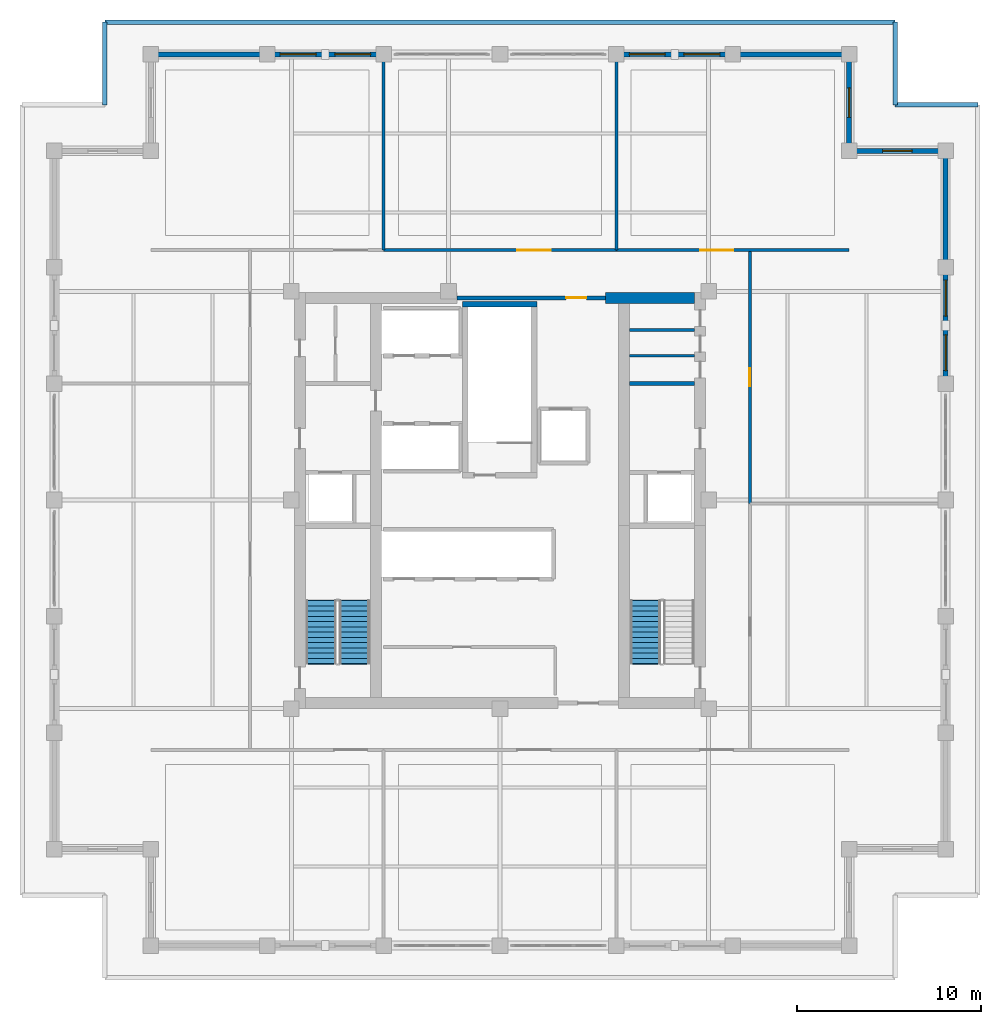
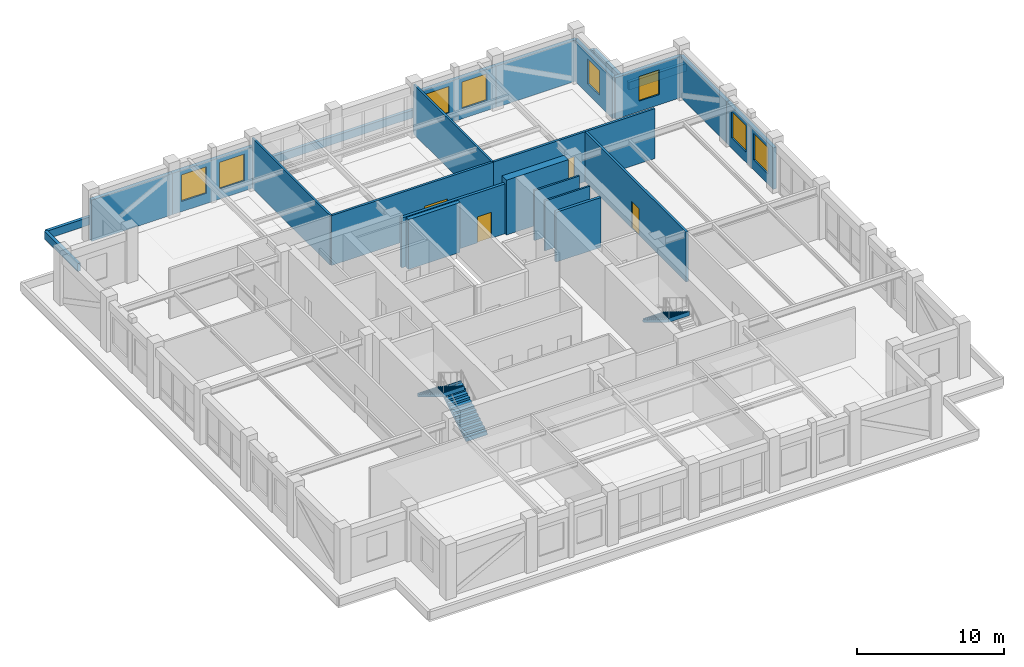
# One storey, part 10 of 14: 23 walls, 8 windows, 4 doors, 3 stair flights, 12 openings, 2 elements without a shape of their own.
"""IFC4 building model written with IfcOpenShell, lengths in metres."""

from ifc_helpers import new_model, si_unit, direction, frame, frame_2d, origin, place, context, subcontext, project, spatial, polyline, rectangle, outline, extrude, material, layer, layer_set, type_object, element, fill, aggregate, save


model = new_model("IFC4")

# Units and contexts
model_context = context("Model", 3, precision=1e-05, world=origin(), true_north=direction((0.0, 1.0)))
body_context = subcontext(model_context, "Body", "Model", "MODEL_VIEW")
ifc_project = project(units=[si_unit("LENGTHUNIT", "METRE"), si_unit("AREAUNIT", "SQUARE_METRE"), si_unit("VOLUMEUNIT", "CUBIC_METRE"), si_unit("PLANEANGLEUNIT", "RADIAN"), si_unit("MASSUNIT", "GRAM", prefix="KILO")], contexts=[model_context])

# Site, building, storey
site_placement = place(None, origin())
site = spatial("IfcSite", under=ifc_project, at=site_placement, CompositionType="ELEMENT")
building_placement = place(site_placement, origin())
building = spatial("IfcBuilding", under=site, at=building_placement, Name="Nhamokura Convention Tower", CompositionType="ELEMENT")
storey_placement = place(building_placement, frame((0.0, 0.0, 182.35009765625)))
storey = spatial("IfcBuildingStorey", under=building, at=storey_placement, Name="L44", CompositionType="ELEMENT", Elevation=182.35009765625)

# Walls
ifc_material_1 = material(Name="Moisture-resistant tile-backer partition", Category="masonry")
ifc_layer_1 = layer(ifc_material_1, 0.139892578125)
ifc_layer_set_1 = layer_set([ifc_layer_1], Name="BathroomWetWall_140")
wall_type_1 = type_object("IfcWallType", Name="BathroomWetWall_140", PredefinedType="STANDARD", material=ifc_layer_set_1)
for number, where, z_axis, x_axis, name in (
    (1, (39.06005859375, 39.85009765625, 0.0), (0.0, 0.0, 1.0), (1.0, 0.0, 0.0), "L44 Wall INT-L44-CWNE1"),
    (2, (39.06005859375, 41.25, 0.0), (0.0, 0.0, 1.0), (1.0, 0.0, 0.0), "L44 Wall INT-L44-CWNE2"),
):
    element("IfcWall", number, at=place(storey_placement, frame(where, z_axis=z_axis, x_axis=x_axis)), inside=storey, type_object=wall_type_1, Name=name, PredefinedType="STANDARD", context=body_context, shape_type="SweptSolid", body=[
        extrude(rectangle(XDim=3.530029296875, YDim=0.139892578125, at=frame_2d((1.76513671875, 0.0))), origin(), (0.0, 0.0, 1.0), 4.1298828125),
    ])
ifc_material_2 = material(Name="Bronze-pigmented precast concrete C45/55", Category="concrete")
ifc_layer_2 = layer(ifc_material_2, 0.280029296875)
ifc_layer_set_2 = layer_set([ifc_layer_2], Name="BronzePrecastSpandrel_280")
wall_type_2 = type_object("IfcWallType", Name="BronzePrecastSpandrel_280", PredefinedType="USERDEFINED", material=ifc_layer_set_2)
wall_1_placement = place(storey_placement, frame((13.0, 56.25, 0.0), z_axis=(0.0, 0.0, 1.0), x_axis=(1.0, 0.0, 0.0)))
element("IfcWall", 3, at=wall_1_placement, inside=storey, type_object=wall_type_2, Name="L44 Braced-Bay Precast Wall NORTH 0", ObjectType="SPANDREL_WALL", PredefinedType="USERDEFINED", context=body_context, shape_type="SweptSolid", body=[
    extrude(rectangle(XDim=6.333251953125, YDim=0.280029296875, at=frame_2d((3.16650390625, 0.0))), origin(), (0.0, 0.0, 1.0), 3.429931640625),
])

# Wall, openings, windows
wall_2_placement = place(storey_placement, frame((19.333251953125, 56.25, 0.0), z_axis=(0.0, 0.0, 1.0), x_axis=(1.0, 0.0, 0.0)))
wall_2 = element("IfcWall", 4, at=wall_2_placement, inside=storey, type_object=wall_type_2, Name="L44 Masonry-Frame Wall NORTH 1", ObjectType="SPANDREL_WALL", PredefinedType="USERDEFINED", context=body_context, shape_type="SweptSolid", body=[
    extrude(rectangle(XDim=6.33349609375, YDim=0.280029296875, at=frame_2d((3.166748046875, 0.0))), origin(), (0.0, 0.0, 1.0), 3.429931640625),
])
opening_1_placement = place(wall_2_placement, frame((0.708251953125, 0.0, 0.85009765625)))
opening_1 = element("IfcOpeningElement", 5, at=opening_1_placement, cuts=wall_2, Name="Opening W-08", PredefinedType="OPENING", context=body_context, shape_type="SweptSolid", body=[
    extrude(rectangle(XDim=1.949951171875, YDim=2.199951171875, at=frame_2d((0.97509765625, 1.10009765625))), frame((0.0, 0.14990234375, 0.0), z_axis=(0.0, -1.0, 0.0), x_axis=(1.0, 0.0, 0.0)), (0.0, 0.0, 1.0), 0.300048828125),
])
opening_2_placement = place(wall_2_placement, frame((3.675048828125, 0.0, 0.85009765625)))
opening_2 = element("IfcOpeningElement", 6, at=opening_2_placement, cuts=wall_2, Name="Opening W-08", PredefinedType="OPENING", context=body_context, shape_type="SweptSolid", body=[
    extrude(rectangle(XDim=1.949951171875, YDim=2.199951171875, at=frame_2d((0.97509765625, 1.10009765625))), frame((0.0, 0.14990234375, 0.0), z_axis=(0.0, -1.0, 0.0), x_axis=(1.0, 0.0, 0.0)), (0.0, 0.0, 1.0), 0.300048828125),
])
ifc_material_3 = material(Name="Solar-control bronze low-E double glass", Category="glass")
window_type_1 = type_object("IfcWindowType", Name="OfficeModuleWindow_Z3_1950", PartitioningType="SINGLE_PANEL", PredefinedType="WINDOW", material=ifc_material_3)
window_1_placement = place(opening_1_placement, origin())
window_1 = element("IfcWindow", 7, at=window_1_placement, inside=storey, type_object=window_type_1, Name="L44 Facade Window NORTH 1-1", OverallHeight=2.199951171875, OverallWidth=1.949951171875, PartitioningType="SINGLE_PANEL", PredefinedType="WINDOW", context=body_context, shape_type="SweptSolid", body=[
    extrude(rectangle(XDim=1.949951171875, YDim=2.199951171875, at=frame_2d((0.97509765625, 1.10009765625))), frame((0.0, 0.030029296875, 0.0), z_axis=(0.0, -1.0, 0.0), x_axis=(1.0, 0.0, 0.0)), (0.0, 0.0, 1.0), 0.06005859375),
])
fill(opening_1, window_1)
window_2_placement = place(opening_2_placement, origin())
window_2 = element("IfcWindow", 8, at=window_2_placement, inside=storey, type_object=window_type_1, Name="L44 Facade Window NORTH 1-2", OverallHeight=2.199951171875, OverallWidth=1.949951171875, PartitioningType="SINGLE_PANEL", PredefinedType="WINDOW", context=body_context, shape_type="SweptSolid", body=[
    extrude(rectangle(XDim=1.949951171875, YDim=2.199951171875, at=frame_2d((0.97509765625, 1.10009765625))), frame((0.0, 0.030029296875, 0.0), z_axis=(0.0, -1.0, 0.0), x_axis=(1.0, 0.0, 0.0)), (0.0, 0.0, 1.0), 0.06005859375),
])
fill(opening_2, window_2)

wall_3_placement = place(storey_placement, frame((38.333251953125, 56.25, 0.0), z_axis=(0.0, 0.0, 1.0), x_axis=(1.0, 0.0, 0.0)))
wall_3 = element("IfcWall", 9, at=wall_3_placement, inside=storey, type_object=wall_type_2, Name="L44 Masonry-Frame Wall NORTH 4", ObjectType="SPANDREL_WALL", PredefinedType="USERDEFINED", context=body_context, shape_type="SweptSolid", body=[
    extrude(rectangle(XDim=6.33349609375, YDim=0.280029296875, at=frame_2d((3.166748046875, 0.0))), origin(), (0.0, 0.0, 1.0), 3.429931640625),
])
opening_3_placement = place(wall_3_placement, frame((0.708251953125, 0.0, 0.85009765625)))
opening_3 = element("IfcOpeningElement", 10, at=opening_3_placement, cuts=wall_3, Name="Opening W-08", PredefinedType="OPENING", context=body_context, shape_type="SweptSolid", body=[
    extrude(rectangle(XDim=1.949951171875, YDim=2.199951171875, at=frame_2d((0.97509765625, 1.10009765625))), frame((0.0, 0.14990234375, 0.0), z_axis=(0.0, -1.0, 0.0), x_axis=(1.0, 0.0, 0.0)), (0.0, 0.0, 1.0), 0.300048828125),
])
opening_4_placement = place(wall_3_placement, frame((3.675048828125, 0.0, 0.85009765625)))
opening_4 = element("IfcOpeningElement", 11, at=opening_4_placement, cuts=wall_3, Name="Opening W-08", PredefinedType="OPENING", context=body_context, shape_type="SweptSolid", body=[
    extrude(rectangle(XDim=1.949951171875, YDim=2.199951171875, at=frame_2d((0.97509765625, 1.10009765625))), frame((0.0, 0.14990234375, 0.0), z_axis=(0.0, -1.0, 0.0), x_axis=(1.0, 0.0, 0.0)), (0.0, 0.0, 1.0), 0.300048828125),
])
window_3_placement = place(opening_3_placement, origin())
window_3 = element("IfcWindow", 12, at=window_3_placement, inside=storey, type_object=window_type_1, Name="L44 Facade Window NORTH 4-1", OverallHeight=2.199951171875, OverallWidth=1.949951171875, PartitioningType="SINGLE_PANEL", PredefinedType="WINDOW", context=body_context, shape_type="SweptSolid", body=[
    extrude(rectangle(XDim=1.949951171875, YDim=2.199951171875, at=frame_2d((0.97509765625, 1.10009765625))), frame((0.0, 0.030029296875, 0.0), z_axis=(0.0, -1.0, 0.0), x_axis=(1.0, 0.0, 0.0)), (0.0, 0.0, 1.0), 0.06005859375),
])
fill(opening_3, window_3)
window_4_placement = place(opening_4_placement, origin())
window_4 = element("IfcWindow", 13, at=window_4_placement, inside=storey, type_object=window_type_1, Name="L44 Facade Window NORTH 4-2", OverallHeight=2.199951171875, OverallWidth=1.949951171875, PartitioningType="SINGLE_PANEL", PredefinedType="WINDOW", context=body_context, shape_type="SweptSolid", body=[
    extrude(rectangle(XDim=1.949951171875, YDim=2.199951171875, at=frame_2d((0.97509765625, 1.10009765625))), frame((0.0, 0.030029296875, 0.0), z_axis=(0.0, -1.0, 0.0), x_axis=(1.0, 0.0, 0.0)), (0.0, 0.0, 1.0), 0.06005859375),
])
fill(opening_4, window_4)

# Wall
wall_4_placement = place(storey_placement, frame((44.666748046875, 56.25, 0.0), z_axis=(0.0, 0.0, 1.0), x_axis=(1.0, 0.0, 0.0)))
element("IfcWall", 14, at=wall_4_placement, inside=storey, type_object=wall_type_2, Name="L44 Braced-Bay Precast Wall NORTH 5", ObjectType="SPANDREL_WALL", PredefinedType="USERDEFINED", context=body_context, shape_type="SweptSolid", body=[
    extrude(rectangle(XDim=6.333251953125, YDim=0.280029296875, at=frame_2d((3.16650390625, 0.0))), origin(), (0.0, 0.0, 1.0), 3.429931640625),
])

# Wall, openings, windows
wall_5_placement = place(storey_placement, frame((56.25, 44.666748046875, 0.0), z_axis=(0.0, 0.0, 1.0), x_axis=(0.0, -1.0, 0.0)))
wall_5 = element("IfcWall", 15, at=wall_5_placement, inside=storey, type_object=wall_type_2, Name="L44 Masonry-Frame Wall EAST 4", ObjectType="SPANDREL_WALL", PredefinedType="USERDEFINED", context=body_context, shape_type="SweptSolid", body=[
    extrude(rectangle(XDim=6.33349609375, YDim=0.280029296875, at=frame_2d((3.166748046875, 0.0))), origin(), (0.0, 0.0, 1.0), 3.429931640625),
])
opening_5_placement = place(wall_5_placement, frame((0.708251953125, 0.0, 0.85009765625)))
opening_5 = element("IfcOpeningElement", 16, at=opening_5_placement, cuts=wall_5, Name="Opening W-08", PredefinedType="OPENING", context=body_context, shape_type="SweptSolid", body=[
    extrude(rectangle(XDim=1.949951171875, YDim=2.199951171875, at=frame_2d((0.97509765625, 1.10009765625))), frame((0.0, 0.14990234375, 0.0), z_axis=(0.0, -1.0, 0.0), x_axis=(1.0, 0.0, 0.0)), (0.0, 0.0, 1.0), 0.300048828125),
])
opening_6_placement = place(wall_5_placement, frame((3.675048828125, 0.0, 0.85009765625)))
opening_6 = element("IfcOpeningElement", 17, at=opening_6_placement, cuts=wall_5, Name="Opening W-08", PredefinedType="OPENING", context=body_context, shape_type="SweptSolid", body=[
    extrude(rectangle(XDim=1.949951171875, YDim=2.199951171875, at=frame_2d((0.97509765625, 1.10009765625))), frame((0.0, 0.14990234375, 0.0), z_axis=(0.0, -1.0, 0.0), x_axis=(1.0, 0.0, 0.0)), (0.0, 0.0, 1.0), 0.300048828125),
])
window_5_placement = place(opening_5_placement, origin())
window_5 = element("IfcWindow", 18, at=window_5_placement, inside=storey, type_object=window_type_1, Name="L44 Facade Window EAST 4-1", OverallHeight=2.199951171875, OverallWidth=1.949951171875, PartitioningType="SINGLE_PANEL", PredefinedType="WINDOW", context=body_context, shape_type="SweptSolid", body=[
    extrude(rectangle(XDim=1.949951171875, YDim=2.199951171875, at=frame_2d((0.97509765625, 1.10009765625))), frame((0.0, 0.030029296875, 0.0), z_axis=(0.0, -1.0, 0.0), x_axis=(1.0, 0.0, 0.0)), (0.0, 0.0, 1.0), 0.06005859375),
])
fill(opening_5, window_5)
window_6_placement = place(opening_6_placement, origin())
window_6 = element("IfcWindow", 19, at=window_6_placement, inside=storey, type_object=window_type_1, Name="L44 Facade Window EAST 4-2", OverallHeight=2.199951171875, OverallWidth=1.949951171875, PartitioningType="SINGLE_PANEL", PredefinedType="WINDOW", context=body_context, shape_type="SweptSolid", body=[
    extrude(rectangle(XDim=1.949951171875, YDim=2.199951171875, at=frame_2d((0.97509765625, 1.10009765625))), frame((0.0, 0.030029296875, 0.0), z_axis=(0.0, -1.0, 0.0), x_axis=(1.0, 0.0, 0.0)), (0.0, 0.0, 1.0), 0.06005859375),
])
fill(opening_6, window_6)

# Wall
wall_6_placement = place(storey_placement, frame((56.25, 51.0, 0.0), z_axis=(0.0, 0.0, 1.0), x_axis=(0.0, -1.0, 0.0)))
element("IfcWall", 20, at=wall_6_placement, inside=storey, type_object=wall_type_2, Name="L44 Braced-Bay Precast Wall EAST 5", ObjectType="SPANDREL_WALL", PredefinedType="USERDEFINED", context=body_context, shape_type="SweptSolid", body=[
    extrude(rectangle(XDim=6.333251953125, YDim=0.280029296875, at=frame_2d((3.16650390625, 0.0))), origin(), (0.0, 0.0, 1.0), 3.429931640625),
])

# Wall, opening, window
wall_7_placement = place(storey_placement, frame((51.0, 51.0, 0.0), z_axis=(0.0, 0.0, 1.0), x_axis=(1.0, 0.0, 0.0)))
wall_7 = element("IfcWall", 21, at=wall_7_placement, inside=storey, type_object=wall_type_2, Name="L44 Notched Corner Wall NE1", ObjectType="SPANDREL_WALL", PredefinedType="USERDEFINED", context=body_context, shape_type="SweptSolid", body=[
    extrude(rectangle(XDim=5.25, YDim=0.280029296875, at=frame_2d((2.625, 0.0))), origin(), (0.0, 0.0, 1.0), 3.429931640625),
])
opening_7_placement = place(wall_7_placement, frame((1.824951171875, 0.0, 0.85009765625)))
opening_7 = element("IfcOpeningElement", 22, at=opening_7_placement, cuts=wall_7, Name="Opening W-11", PredefinedType="OPENING", context=body_context, shape_type="SweptSolid", body=[
    extrude(rectangle(XDim=1.60009765625, YDim=2.050048828125, at=frame_2d((0.800048828125, 1.02490234375))), frame((0.0, 0.14990234375, 0.0), z_axis=(0.0, -1.0, 0.0), x_axis=(1.0, 0.0, 0.0)), (0.0, 0.0, 1.0), 0.300048828125),
])
ifc_material_4 = material(Name="Solar-control bronze low-E double glass", Category="glass")
window_type_2 = type_object("IfcWindowType", Name="NotchCornerWindow_1600", PartitioningType="SINGLE_PANEL", PredefinedType="WINDOW", material=ifc_material_4)
window_7_placement = place(opening_7_placement, origin())
window_7 = element("IfcWindow", 23, at=window_7_placement, inside=storey, type_object=window_type_2, Name="L44 Notched Corner Window NE1", OverallHeight=2.050048828125, OverallWidth=1.60009765625, PartitioningType="SINGLE_PANEL", PredefinedType="WINDOW", context=body_context, shape_type="SweptSolid", body=[
    extrude(rectangle(XDim=1.60009765625, YDim=2.050048828125, at=frame_2d((0.800048828125, 1.02490234375))), frame((0.0, 0.030029296875, 0.0), z_axis=(0.0, -1.0, 0.0), x_axis=(1.0, 0.0, 0.0)), (0.0, 0.0, 1.0), 0.06005859375),
])
fill(opening_7, window_7)

wall_8_placement = place(storey_placement, frame((51.0, 56.25, 0.0), z_axis=(0.0, 0.0, 1.0), x_axis=(0.0, -1.0, 0.0)))
wall_8 = element("IfcWall", 24, at=wall_8_placement, inside=storey, type_object=wall_type_2, Name="L44 Notched Corner Wall NE2", ObjectType="SPANDREL_WALL", PredefinedType="USERDEFINED", context=body_context, shape_type="SweptSolid", body=[
    extrude(rectangle(XDim=5.25, YDim=0.280029296875, at=frame_2d((2.625, 0.0))), origin(), (0.0, 0.0, 1.0), 3.429931640625),
])
opening_8_placement = place(wall_8_placement, frame((1.824951171875, 0.0, 0.85009765625)))
opening_8 = element("IfcOpeningElement", 25, at=opening_8_placement, cuts=wall_8, Name="Opening W-11", PredefinedType="OPENING", context=body_context, shape_type="SweptSolid", body=[
    extrude(rectangle(XDim=1.60009765625, YDim=2.050048828125, at=frame_2d((0.800048828125, 1.02490234375))), frame((0.0, 0.14990234375, 0.0), z_axis=(0.0, -1.0, 0.0), x_axis=(1.0, 0.0, 0.0)), (0.0, 0.0, 1.0), 0.300048828125),
])
window_8_placement = place(opening_8_placement, origin())
window_8 = element("IfcWindow", 26, at=window_8_placement, inside=storey, type_object=window_type_2, Name="L44 Notched Corner Window NE2", OverallHeight=2.050048828125, OverallWidth=1.60009765625, PartitioningType="SINGLE_PANEL", PredefinedType="WINDOW", context=body_context, shape_type="SweptSolid", body=[
    extrude(rectangle(XDim=1.60009765625, YDim=2.050048828125, at=frame_2d((0.800048828125, 1.02490234375))), frame((0.0, 0.030029296875, 0.0), z_axis=(0.0, -1.0, 0.0), x_axis=(1.0, 0.0, 0.0)), (0.0, 0.0, 1.0), 0.06005859375),
])
fill(opening_8, window_8)

# Wall
ifc_material_5 = material(Name="Concrete C60/75", Category="concrete")
ifc_layer_3 = layer(ifc_material_5, 0.60009765625)
ifc_layer_set_3 = layer_set([ifc_layer_3], Name="CoreShearWall_600")
wall_type_3 = type_object("IfcWallType", Name="CoreShearWall_600", PredefinedType="SHEAR", material=ifc_layer_set_3)
wall_9_placement = place(storey_placement, frame((37.75, 43.0, 0.0), z_axis=(0.0, 0.0, 1.0), x_axis=(1.0, 0.0, 0.0)))
element("IfcWall", 27, at=wall_9_placement, inside=storey, type_object=wall_type_3, Name="L44 Core Shear Wall CW-N2", PredefinedType="SHEAR", context=body_context, shape_type="SweptSolid", body=[
    extrude(rectangle(XDim=4.840087890625, YDim=0.60009765625, at=frame_2d((2.419921875, 0.0))), origin(), (0.0, 0.0, 1.0), 4.5498046875),
])

# Wall, opening, door
ifc_material_6 = material(Name="Fire-rated gypsum and masonry partition", Category="masonry")
ifc_layer_4 = layer(ifc_material_6, 0.179931640625)
ifc_layer_set_4 = layer_set([ifc_layer_4], Name="CorridorRatedWall_180")
wall_type_4 = type_object("IfcWallType", Name="CorridorRatedWall_180", PredefinedType="STANDARD", material=ifc_layer_set_4)
wall_10_placement = place(storey_placement, frame((25.666748046875, 45.60009765625, 0.0), z_axis=(0.0, 0.0, 1.0), x_axis=(1.0, 0.0, 0.0)))
wall_10 = element("IfcWall", 28, at=wall_10_placement, inside=storey, type_object=wall_type_4, Name="L44 Wall INT-L44-CW-N01", PredefinedType="STANDARD", context=body_context, shape_type="SweptSolid", body=[
    extrude(rectangle(XDim=12.66650390625, YDim=0.179931640625, at=frame_2d((6.333251953125, 0.0))), origin(), (0.0, 0.0, 1.0), 4.1298828125),
])
opening_9_placement = place(wall_10_placement, frame((7.283203125, 0.0, 0.0)))
opening_9 = element("IfcOpeningElement", 29, at=opening_9_placement, cuts=wall_10, Name="Opening D-03", PredefinedType="OPENING", context=body_context, shape_type="SweptSolid", body=[
    extrude(rectangle(XDim=1.800048828125, YDim=2.35009765625, at=frame_2d((0.89990234375, 1.175048828125))), frame((0.0, 0.099853515625, 0.0), z_axis=(0.0, -1.0, 0.0), x_axis=(1.0, 0.0, 0.0)), (0.0, 0.0, 1.0), 0.199951171875),
])
ifc_material_7 = material(Name="Solid oak hardwood", Category="wood")
door_type_1 = type_object("IfcDoorType", Name="BallroomDoubleDoor_1800", OperationType="DOUBLE_DOOR_SINGLE_SWING", PredefinedType="DOOR", material=ifc_material_7)
door_1_placement = place(opening_9_placement, origin())
door_1 = element("IfcDoor", 30, at=door_1_placement, inside=storey, type_object=door_type_1, Name="L44 Private Office N02 Door", OperationType="SINGLE_SWING_RIGHT", OverallHeight=2.35009765625, OverallWidth=1.800048828125, PredefinedType="DOOR", context=body_context, shape_type="SweptSolid", body=[
    extrude(rectangle(XDim=1.800048828125, YDim=2.35009765625, at=frame_2d((0.89990234375, 1.175048828125))), frame((0.0, 0.02490234375, 0.0), z_axis=(0.0, -1.0, 0.0), x_axis=(1.0, 0.0, 0.0)), (0.0, 0.0, 1.0), 0.050048828125),
])
fill(opening_9, door_1)

wall_11_placement = place(storey_placement, frame((38.333251953125, 45.60009765625, 0.0), z_axis=(0.0, 0.0, 1.0), x_axis=(1.0, 0.0, 0.0)))
wall_11 = element("IfcWall", 31, at=wall_11_placement, inside=storey, type_object=wall_type_4, Name="L44 Wall INT-L44-CW-N02", PredefinedType="STANDARD", context=body_context, shape_type="SweptSolid", body=[
    extrude(rectangle(XDim=12.666748046875, YDim=0.179931640625, at=frame_2d((6.33349609375, 0.0))), origin(), (0.0, 0.0, 1.0), 4.1298828125),
])
opening_10_placement = place(wall_11_placement, frame((4.558349609375, 0.0, 0.0)))
opening_10 = element("IfcOpeningElement", 32, at=opening_10_placement, cuts=wall_11, Name="Opening D-03", PredefinedType="OPENING", context=body_context, shape_type="SweptSolid", body=[
    extrude(rectangle(XDim=1.800048828125, YDim=2.35009765625, at=frame_2d((0.89990234375, 1.175048828125))), frame((0.0, 0.099853515625, 0.0), z_axis=(0.0, -1.0, 0.0), x_axis=(1.0, 0.0, 0.0)), (0.0, 0.0, 1.0), 0.199951171875),
])
door_2_placement = place(opening_10_placement, origin())
door_2 = element("IfcDoor", 33, at=door_2_placement, inside=storey, type_object=door_type_1, Name="L44 Private Office N03 Door", OperationType="SINGLE_SWING_LEFT", OverallHeight=2.35009765625, OverallWidth=1.800048828125, PredefinedType="DOOR", context=body_context, shape_type="SweptSolid", body=[
    extrude(rectangle(XDim=1.800048828125, YDim=2.35009765625, at=frame_2d((0.89990234375, 1.175048828125))), frame((0.0, 0.02490234375, 0.0), z_axis=(0.0, -1.0, 0.0), x_axis=(1.0, 0.0, 0.0)), (0.0, 0.0, 1.0), 0.050048828125),
])
fill(opening_10, door_2)

wall_12_placement = place(storey_placement, frame((45.60009765625, 31.800048828125, 0.0), z_axis=(0.0, 0.0, 1.0), x_axis=(0.0, 1.0, 0.0)))
wall_12 = element("IfcWall", 34, at=wall_12_placement, inside=storey, type_object=wall_type_4, Name="L44 Wall INT-L44-CW-E01", PredefinedType="STANDARD", context=body_context, shape_type="SweptSolid", body=[
    extrude(rectangle(XDim=13.800048828125, YDim=0.179931640625, at=frame_2d((6.89990234375, 0.0))), origin(), (0.0, 0.0, 1.0), 4.1298828125),
])
opening_11_placement = place(wall_12_placement, frame((6.39990234375, 0.0, 0.0)))
opening_11 = element("IfcOpeningElement", 35, at=opening_11_placement, cuts=wall_12, Name="Opening D-08", PredefinedType="OPENING", context=body_context, shape_type="SweptSolid", body=[
    extrude(rectangle(XDim=0.97998046875, YDim=2.199951171875, at=frame_2d((0.489990234375, 1.10009765625))), frame((0.0, 0.099853515625, 0.0), z_axis=(0.0, -1.0, 0.0), x_axis=(1.0, 0.0, 0.0)), (0.0, 0.0, 1.0), 0.199951171875),
])
ifc_material_8 = material(Name="Solid oak hardwood", Category="wood")
door_type_2 = type_object("IfcDoorType", Name="OfficeEntryDoor_980", OperationType="NOTDEFINED", PredefinedType="DOOR", material=ifc_material_8)
door_3_placement = place(opening_11_placement, origin())
door_3 = element("IfcDoor", 36, at=door_3_placement, inside=storey, type_object=door_type_2, Name="L44 Private Office E02 Door", OperationType="SINGLE_SWING_RIGHT", OverallHeight=2.199951171875, OverallWidth=0.97998046875, PredefinedType="DOOR", context=body_context, shape_type="SweptSolid", body=[
    extrude(rectangle(XDim=0.97998046875, YDim=2.199951171875, at=frame_2d((0.489990234375, 1.10009765625))), frame((0.0, 0.02490234375, 0.0), z_axis=(0.0, -1.0, 0.0), x_axis=(1.0, 0.0, 0.0)), (0.0, 0.0, 1.0), 0.050048828125),
])
fill(opening_11, door_3)

# Wall
ifc_material_9 = material(Name="Autoclaved concrete blockwork", Category="masonry")
ifc_layer_5 = layer(ifc_material_9, 0.219970703125)
ifc_layer_set_5 = layer_set([ifc_layer_5], Name="FireLobbyWall_220")
wall_type_5 = type_object("IfcWallType", Name="FireLobbyWall_220", PredefinedType="STANDARD", material=ifc_layer_set_5)
wall_13_placement = place(storey_placement, frame((39.06005859375, 38.35009765625, 0.0), z_axis=(0.0, 0.0, 1.0), x_axis=(1.0, 0.0, 0.0)))
element("IfcWall", 37, at=wall_13_placement, inside=storey, type_object=wall_type_5, Name="L44 Wall INT-L44-FFE-N", PredefinedType="STANDARD", context=body_context, shape_type="SweptSolid", body=[
    extrude(rectangle(XDim=3.530029296875, YDim=0.219970703125, at=frame_2d((1.76513671875, 0.0))), origin(), (0.0, 0.0, 1.0), 4.1298828125),
])

# Wall, opening, door
wall_14_placement = place(storey_placement, frame((29.64990234375, 43.0, 0.0), z_axis=(0.0, 0.0, 1.0), x_axis=(1.0, 0.0, 0.0)))
wall_14 = element("IfcWall", 38, at=wall_14_placement, inside=storey, type_object=wall_type_5, Name="L44 Wall INT-L44-CPORT-N", PredefinedType="STANDARD", context=body_context, shape_type="SweptSolid", body=[
    extrude(rectangle(XDim=8.10009765625, YDim=0.219970703125, at=frame_2d((4.050048828125, 0.0))), origin(), (0.0, 0.0, 1.0), 4.1298828125),
])
opening_12_placement = place(wall_14_placement, frame((5.949951171875, 0.0, 0.0)))
opening_12 = element("IfcOpeningElement", 39, at=opening_12_placement, cuts=wall_14, Name="Opening D-05", PredefinedType="OPENING", context=body_context, shape_type="SweptSolid", body=[
    extrude(rectangle(XDim=1.10009765625, YDim=2.14990234375, at=frame_2d((0.550048828125, 1.074951171875))), frame((0.0, 0.119873046875, 0.0), z_axis=(0.0, -1.0, 0.0), x_axis=(1.0, 0.0, 0.0)), (0.0, 0.0, 1.0), 0.239990234375),
])
ifc_material_10 = material(Name="Fire-rated steel door", Category="steel")
door_type_3 = type_object("IfcDoorType", Name="FireLobbyDoor_1100", OperationType="NOTDEFINED", PredefinedType="DOOR", material=ifc_material_10)
door_4_placement = place(opening_12_placement, origin())
door_4 = element("IfcDoor", 40, at=door_4_placement, inside=storey, type_object=door_type_3, Name="L44 North Core Lobby Portal Door", OperationType="SINGLE_SWING_RIGHT", OverallHeight=2.14990234375, OverallWidth=1.10009765625, PredefinedType="DOOR", context=body_context, shape_type="SweptSolid", body=[
    extrude(rectangle(XDim=1.10009765625, YDim=2.14990234375, at=frame_2d((0.550048828125, 1.074951171875))), frame((0.0, 0.02490234375, 0.0), z_axis=(0.0, -1.0, 0.0), x_axis=(1.0, 0.0, 0.0)), (0.0, 0.0, 1.0), 0.050048828125),
])
fill(opening_12, door_4)

# Walls
ifc_material_11 = material(Name="Acoustic gypsum stud partition", Category="masonry")
ifc_layer_6 = layer(ifc_material_11, 0.14990234375)
ifc_layer_set_6 = layer_set([ifc_layer_6], Name="InteriorPartition_150")
wall_type_6 = type_object("IfcWallType", Name="InteriorPartition_150", PredefinedType="STANDARD", material=ifc_layer_set_6)
for number, where, z_axis, x_axis, name in (
    (41, (25.666748046875, 45.60009765625, 0.0), (0.0, 0.0, 1.0), (0.0, 1.0, 0.0), "L44 Wall INT-L44-RW-N01"),
    (42, (38.333251953125, 45.60009765625, 0.0), (0.0, 0.0, 1.0), (0.0, 1.0, 0.0), "L44 Wall INT-L44-RW-N02"),
):
    element("IfcWall", number, at=place(storey_placement, frame(where, z_axis=z_axis, x_axis=x_axis)), inside=storey, type_object=wall_type_6, Name=name, PredefinedType="STANDARD", context=body_context, shape_type="SweptSolid", body=[
        extrude(rectangle(XDim=10.58984375, YDim=0.14990234375, at=frame_2d((5.294921875, 0.0))), origin(), (0.0, 0.0, 1.0), 4.1298828125),
    ])
ifc_material_12 = material(Name="Concrete C50/60", Category="concrete")
ifc_layer_7 = layer(ifc_material_12, 0.300048828125)
ifc_layer_set_7 = layer_set([ifc_layer_7], Name="ShaftEnclosureWall_300")
wall_type_7 = type_object("IfcWallType", Name="ShaftEnclosureWall_300", PredefinedType="SHEAR", material=ifc_layer_set_7)
wall_15_placement = place(storey_placement, frame((29.949951171875, 42.64990234375, 0.0), z_axis=(0.0, 0.0, 1.0), x_axis=(1.0, 0.0, 0.0)))
element("IfcWall", 43, at=wall_15_placement, inside=storey, type_object=wall_type_7, Name="L44 Wall INT-L44-ST03N", PredefinedType="SHEAR", context=body_context, shape_type="SweptSolid", body=[
    extrude(rectangle(XDim=4.050048828125, YDim=0.300048828125, at=frame_2d((2.02490234375, 0.0))), origin(), (0.0, 0.0, 1.0), 4.1298828125),
])
ifc_material_13 = material(Name="Bronze-pigmented precast concrete C45/55", Category="concrete")
ifc_layer_8 = layer(ifc_material_13, 0.239990234375)
ifc_layer_set_8 = layer_set([ifc_layer_8], Name="TerraceParapet_240")
wall_type_8 = type_object("IfcWallType", Name="TerraceParapet_240", PredefinedType="PARAPET", material=ifc_layer_set_8)
for number, where, z_axis, x_axis, name in (
    (44, (58.0, 53.5, 0.0), (0.0, 0.0, 1.0), (-1.0, 0.0, 0.0), "L44 Setback Roof Parapet 04"),
    (45, (53.5, 53.5, 0.0), (0.0, 0.0, 1.0), (0.0, 1.0, 0.0), "L44 Setback Roof Parapet 05"),
):
    element("IfcWall", number, at=place(storey_placement, frame(where, z_axis=z_axis, x_axis=x_axis)), inside=storey, type_object=wall_type_8, Name=name, PredefinedType="PARAPET", context=body_context, shape_type="SweptSolid", body=[
        extrude(rectangle(XDim=4.5, YDim=0.239990234375, at=frame_2d((2.25, 0.0))), origin(), (0.0, 0.0, 1.0), 0.64990234375),
    ])
wall_16_placement = place(storey_placement, frame((53.5, 58.0, 0.0), z_axis=(0.0, 0.0, 1.0), x_axis=(-1.0, 0.0, 0.0)))
element("IfcWall", 46, at=wall_16_placement, inside=storey, type_object=wall_type_8, Name="L44 Setback Roof Parapet 06", PredefinedType="PARAPET", context=body_context, shape_type="SweptSolid", body=[
    extrude(rectangle(XDim=43.0, YDim=0.239990234375, at=frame_2d((21.5, 0.0))), origin(), (0.0, 0.0, 1.0), 0.64990234375),
])
wall_17_placement = place(storey_placement, frame((10.5, 58.0, 0.0), z_axis=(0.0, 0.0, 1.0), x_axis=(0.0, -1.0, 0.0)))
element("IfcWall", 47, at=wall_17_placement, inside=storey, type_object=wall_type_8, Name="L44 Setback Roof Parapet 07", PredefinedType="PARAPET", context=body_context, shape_type="SweptSolid", body=[
    extrude(rectangle(XDim=4.5, YDim=0.239990234375, at=frame_2d((2.25, 0.0))), origin(), (0.0, 0.0, 1.0), 0.64990234375),
])

# Stair, stair flights
ifc_material_14 = material(Name="Concrete C40/50", Category="concrete")
stair_type = type_object("IfcStairType", Name="TowerCoreStair_1650", PredefinedType="HALF_TURN_STAIR", material=ifc_material_14)
stair_1_placement = place(storey_placement, origin())
stair_1 = element("IfcStair", 48, at=stair_1_placement, inside=storey, type_object=stair_type, Name="L44 West Core Smokeproof Stair ST-01", PredefinedType="HALF_TURN_STAIR")
ifc_material_15 = material(Name="Concrete C40/50", Category="concrete")
stair_flight_type = type_object("IfcStairFlightType", Name="TowerCoreStair_1650_Flight", PredefinedType="STRAIGHT", material=ifc_material_15)
stair_flight_1_placement = place(storey_placement, frame((24.074951171875, 23.10009765625, 0.0), z_axis=(0.0, 0.0, 1.0), x_axis=(0.0, 1.0, 0.0)))
stair_flight_1 = element("IfcStairFlight", 49, at=stair_flight_1_placement, type_object=stair_flight_type, Name="ST-01 flight 1", NumberOfRisers=13, NumberOfTreads=12, PredefinedType="STRAIGHT", RiserHeight=0.175, TreadLength=0.285, context=body_context, shape_type="SweptSolid", body=[
    extrude(outline(polyline([(-0.0419921875, 0.0), (0.0, 0.175048828125), (0.284912109375, 0.175048828125), (0.284912109375, 0.35009765625), (0.570068359375, 0.35009765625), (0.570068359375, 0.52490234375), (0.85498046875, 0.52490234375), (0.85498046875, 0.699951171875), (1.139892578125, 0.699951171875), (1.139892578125, 0.875), (1.425048828125, 0.875), (1.425048828125, 1.050048828125), (1.7099609375, 1.050048828125), (1.7099609375, 1.22509765625), (1.9951171875, 1.22509765625), (1.9951171875, 1.39990234375), (2.280029296875, 1.39990234375), (2.280029296875, 1.574951171875), (2.56494140625, 1.574951171875), (2.56494140625, 1.75), (2.85009765625, 1.75), (2.85009765625, 1.925048828125), (3.135009765625, 1.925048828125), (3.135009765625, 2.10009765625), (3.419921875, 2.10009765625), (3.419921875, 2.27490234375), (3.4619140625, 2.27490234375), (3.4619140625, 1.924072265625), (3.419921875, 1.924072265625), (0.286376953125, 0.0), (0.02001953125, -0.1298828125), (-0.0419921875, -0.1298828125), (-0.0419921875, 0.0)])), frame((0.0, 0.824951171875, 0.0), z_axis=(0.0, -1.0, 0.0), x_axis=(1.0, 0.0, 0.0)), (0.0, 0.0, 1.0), 1.64990234375),
])
stair_flight_2_placement = place(storey_placement, frame((22.27490234375, 26.52001953125, 2.27490234375), z_axis=(0.0, 0.0, 1.0), x_axis=(0.0, -1.0, 0.0)))
stair_flight_2 = element("IfcStairFlight", 50, at=stair_flight_2_placement, type_object=stair_flight_type, Name="ST-01 flight 2", NumberOfRisers=13, NumberOfTreads=12, PredefinedType="STRAIGHT", RiserHeight=0.175, TreadLength=0.285, context=body_context, shape_type="SweptSolid", body=[
    extrude(outline(polyline([(-0.0419921875, 0.0), (0.0, 0.175048828125), (0.284912109375, 0.175048828125), (0.284912109375, 0.35009765625), (0.570068359375, 0.35009765625), (0.570068359375, 0.52490234375), (0.85498046875, 0.52490234375), (0.85498046875, 0.699951171875), (1.139892578125, 0.699951171875), (1.139892578125, 0.875), (1.425048828125, 0.875), (1.425048828125, 1.050048828125), (1.7099609375, 1.050048828125), (1.7099609375, 1.22509765625), (1.9951171875, 1.22509765625), (1.9951171875, 1.39990234375), (2.280029296875, 1.39990234375), (2.280029296875, 1.574951171875), (2.56494140625, 1.574951171875), (2.56494140625, 1.75), (2.85009765625, 1.75), (2.85009765625, 1.925048828125), (3.135009765625, 1.925048828125), (3.135009765625, 2.10009765625), (3.419921875, 2.10009765625), (3.419921875, 2.27490234375), (3.4619140625, 2.27490234375), (3.4619140625, 1.924072265625), (3.419921875, 1.924072265625), (0.286376953125, 0.0), (0.02001953125, -0.1298828125), (-0.0419921875, -0.1298828125), (-0.0419921875, 0.0)])), frame((0.0, 0.824951171875, 0.0), z_axis=(0.0, -1.0, 0.0), x_axis=(1.0, 0.0, 0.0)), (0.0, 0.0, 1.0), 1.64990234375),
])
aggregate(stair_1, [stair_flight_1, stair_flight_2])

# Stair, stair flight
stair_2_placement = place(storey_placement, origin())
stair_2 = element("IfcStair", 51, at=stair_2_placement, inside=storey, type_object=stair_type, Name="L44 East Core Smokeproof Stair ST-02", PredefinedType="HALF_TURN_STAIR")
stair_flight_3_placement = place(storey_placement, frame((39.925048828125, 26.52001953125, 2.27490234375), z_axis=(0.0, 0.0, 1.0), x_axis=(0.0, -1.0, 0.0)))
stair_flight_3 = element("IfcStairFlight", 52, at=stair_flight_3_placement, type_object=stair_flight_type, Name="ST-02 flight 2", NumberOfRisers=13, NumberOfTreads=12, PredefinedType="STRAIGHT", RiserHeight=0.175, TreadLength=0.285, context=body_context, shape_type="SweptSolid", body=[
    extrude(outline(polyline([(-0.0419921875, 0.0), (0.0, 0.175048828125), (0.284912109375, 0.175048828125), (0.284912109375, 0.35009765625), (0.570068359375, 0.35009765625), (0.570068359375, 0.52490234375), (0.85498046875, 0.52490234375), (0.85498046875, 0.699951171875), (1.139892578125, 0.699951171875), (1.139892578125, 0.875), (1.425048828125, 0.875), (1.425048828125, 1.050048828125), (1.7099609375, 1.050048828125), (1.7099609375, 1.22509765625), (1.9951171875, 1.22509765625), (1.9951171875, 1.39990234375), (2.280029296875, 1.39990234375), (2.280029296875, 1.574951171875), (2.56494140625, 1.574951171875), (2.56494140625, 1.75), (2.85009765625, 1.75), (2.85009765625, 1.925048828125), (3.135009765625, 1.925048828125), (3.135009765625, 2.10009765625), (3.419921875, 2.10009765625), (3.419921875, 2.27490234375), (3.4619140625, 2.27490234375), (3.4619140625, 1.924072265625), (3.419921875, 1.924072265625), (0.286376953125, 0.0), (0.02001953125, -0.1298828125), (-0.0419921875, -0.1298828125), (-0.0419921875, 0.0)])), frame((0.0, 0.824951171875, 0.0), z_axis=(0.0, -1.0, 0.0), x_axis=(1.0, 0.0, 0.0)), (0.0, 0.0, 1.0), 1.64990234375),
])
aggregate(stair_2, [stair_flight_3])

save(model, "model.ifc")
